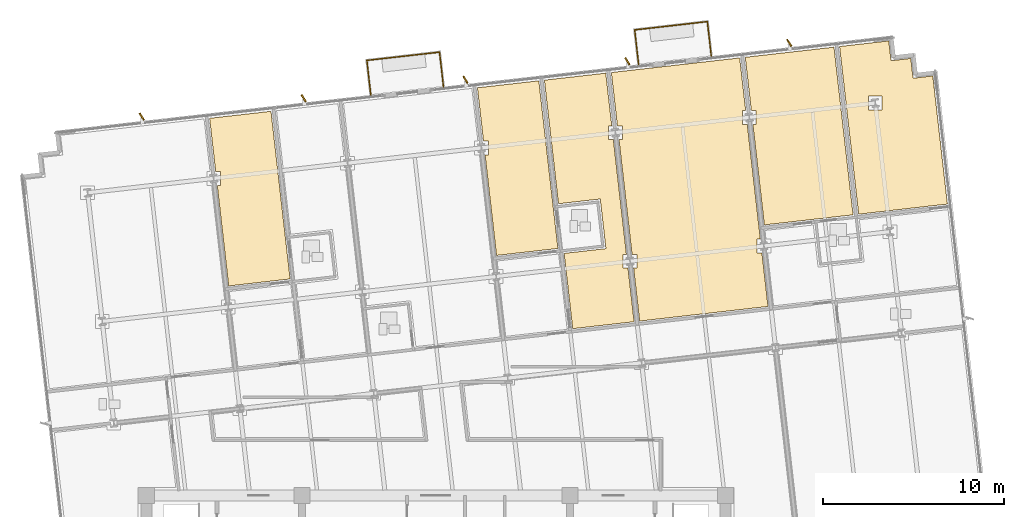
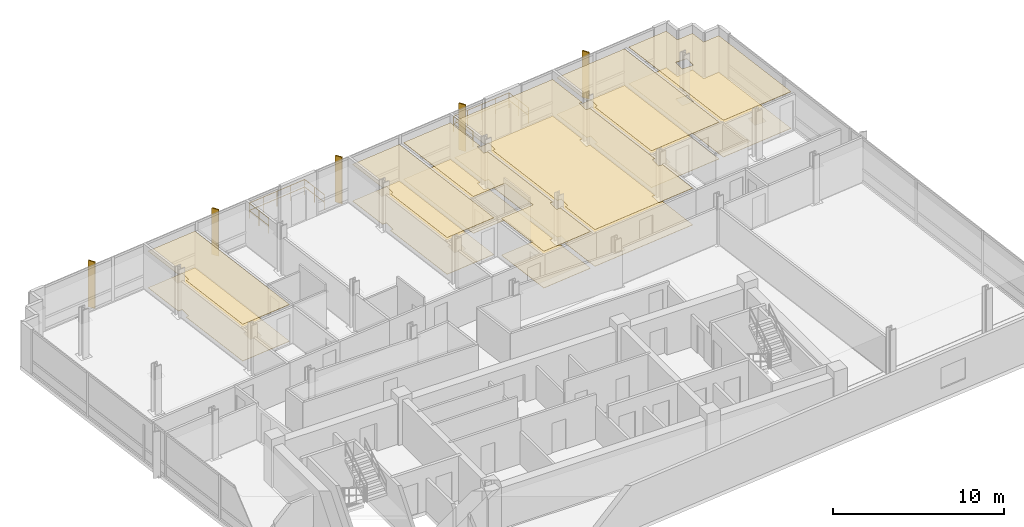
# One storey, part 15 of 16: 12 coverings, 6 railings, 5 shading devices.
"""IFC4 building model written with IfcOpenShell, lengths in metres."""

from ifc_helpers import new_model, si_unit, direction, frame, origin, origin_2d, place, context, subcontext, project, spatial, polyline, rectangle, circle, outline, extrude, material, layer, layer_set, type_object, element, save


model = new_model("IFC4")

# Units and contexts
model_context = context("Model", 3, precision=1e-05, world=origin(), true_north=direction((0.0, 1.0)))
body_context = subcontext(model_context, "Body", "Model", "MODEL_VIEW")
ifc_project = project(units=[si_unit("LENGTHUNIT", "METRE"), si_unit("AREAUNIT", "SQUARE_METRE"), si_unit("VOLUMEUNIT", "CUBIC_METRE"), si_unit("PLANEANGLEUNIT", "RADIAN"), si_unit("MASSUNIT", "GRAM", prefix="KILO")], contexts=[model_context])

# Site, building, storey
site_placement = place(None, origin())
site = spatial("IfcSite", under=ifc_project, at=site_placement, CompositionType="ELEMENT")
building_placement = place(site_placement, origin())
building = spatial("IfcBuilding", under=site, at=building_placement, Name="Solmavex Isthmus Hotel", CompositionType="ELEMENT")
storey_placement = place(building_placement, frame((0.0, 0.0, 212.39990234375)))
storey = spatial("IfcBuildingStorey", under=building, at=storey_placement, Name="L57", CompositionType="ELEMENT", Elevation=212.39990234375)

# Coverings
ifc_material_1 = material(Name="Gypsum plasterboard lining", Category="gypsum")
ifc_layer_1 = layer(ifc_material_1, 0.030029296875)
ifc_layer_set_1 = layer_set([ifc_layer_1], Name="Gypsum plasterboard lining")
covering_type_1 = type_object("IfcCoveringType", Name="COV-CEIL-GYP", PredefinedType="CEILING", material=ifc_layer_set_1)
covering_1_placement = place(storey_placement, frame((0.0, 0.0, 2.6201171875)))
element("IfcCovering", 1, at=covering_1_placement, inside=storey, type_object=covering_type_1, Name="Suspended Acoustic Ceiling L57-SL02-BD", PredefinedType="CEILING", context=body_context, shape_type="SweptSolid", body=[
    extrude(outline(polyline([(-12.17041015625, 15.3984375), (-11.903076171875, 15.3984375), (-11.903076171875, 14.638427734375), (-12.083740234375, 14.638427734375), (-11.763916015625, 11.832275390625), (-11.4501953125, 9.077392578125), (-8.05908203125, 9.4638671875), (-9.1142578125, 18.725830078125), (-12.50537109375, 18.339599609375), (-12.17041015625, 15.3984375)])), origin(), (0.0, 0.0, 1.0), 0.030029296875),
])
covering_2_placement = place(storey_placement, frame((0.0, 0.0, 2.6201171875)))
element("IfcCovering", 2, at=covering_2_placement, inside=storey, type_object=covering_type_1, Name="Suspended Acoustic Ceiling L57-SL04-BD", PredefinedType="CEILING", context=body_context, shape_type="SweptSolid", body=[
    extrude(outline(polyline([(2.6259765625, 17.084228515625), (2.893310546875, 17.084228515625), (2.893310546875, 16.32421875), (2.712646484375, 16.32421875), (3.34619140625, 10.763427734375), (6.7373046875, 11.149658203125), (5.681884765625, 20.411865234375), (2.290771484375, 20.025390625), (2.6259765625, 17.084228515625)])), origin(), (0.0, 0.0, 1.0), 0.030029296875),
])
covering_3_placement = place(storey_placement, frame((0.0, 0.0, 2.6201171875)))
element("IfcCovering", 3, at=covering_3_placement, inside=storey, type_object=covering_type_1, Name="Suspended Acoustic Ceiling L57-SV04", PredefinedType="CEILING", context=body_context, shape_type="SweptSolid", body=[
    extrude(outline(polyline([(9.798583984375, 17.167236328125), (9.531494140625, 17.167236328125), (9.531494140625, 17.92724609375), (9.712158203125, 17.92724609375), (9.381103515625, 20.833251953125), (5.989990234375, 20.44677734375), (6.767822265625, 13.619140625), (9.075927734375, 13.882080078125), (9.388427734375, 11.1396484375), (7.080322265625, 10.876708984375), (7.554443359375, 6.715576171875), (10.945556640625, 7.10205078125), (10.6083984375, 10.06103515625), (10.341064453125, 10.06103515625), (10.341064453125, 10.821044921875), (10.521728515625, 10.821044921875), (9.798583984375, 17.167236328125)])), origin(), (0.0, 0.0, 1.0), 0.030029296875),
])
covering_4_placement = place(storey_placement, frame((0.0, 0.0, 2.6201171875)))
element("IfcCovering", 4, at=covering_4_placement, inside=storey, type_object=covering_type_1, Name="Suspended Acoustic Ceiling L57-RM05", PredefinedType="CEILING", context=body_context, shape_type="SweptSolid", body=[
    extrude(outline(polyline([(10.833740234375, 10.821044921875), (11.10107421875, 10.821044921875), (11.10107421875, 10.06103515625), (10.92041015625, 10.06103515625), (11.25341796875, 7.13720703125), (18.343505859375, 7.945068359375), (18.006591796875, 10.904052734375), (17.7392578125, 10.904052734375), (17.7392578125, 11.6640625), (17.919921875, 11.6640625), (17.19677734375, 18.010009765625), (16.929443359375, 18.010009765625), (16.929443359375, 18.77001953125), (17.1103515625, 18.77001953125), (16.779052734375, 21.676025390625), (9.68896484375, 20.868408203125), (10.024169921875, 17.92724609375), (10.29150390625, 17.92724609375), (10.29150390625, 17.167236328125), (10.110595703125, 17.167236328125), (10.833740234375, 10.821044921875)])), origin(), (0.0, 0.0, 1.0), 0.030029296875),
])
covering_5_placement = place(storey_placement, frame((0.0, 0.0, 2.6201171875)))
element("IfcCovering", 5, at=covering_5_placement, inside=storey, type_object=covering_type_1, Name="Suspended Acoustic Ceiling L57-TB06", PredefinedType="CEILING", context=body_context, shape_type="SweptSolid", body=[
    extrude(outline(polyline([(17.42236328125, 18.77001953125), (17.689453125, 18.77001953125), (17.689453125, 18.010009765625), (17.5087890625, 18.010009765625), (18.142333984375, 12.44921875), (23.044677734375, 13.007568359375), (21.989501953125, 22.269775390625), (17.087158203125, 21.711181640625), (17.42236328125, 18.77001953125)])), origin(), (0.0, 0.0, 1.0), 0.030029296875),
])
covering_6_placement = place(storey_placement, frame((0.0, 0.0, 2.6201171875)))
element("IfcCovering", 6, at=covering_6_placement, inside=storey, type_object=covering_type_1, Name="Suspended Acoustic Ceiling L57-TL06", PredefinedType="CEILING", context=body_context, shape_type="SweptSolid", body=[
    extrude(outline(polyline([(25.013916015625, 22.6142578125), (24.194091796875, 22.52099609375), (22.29736328125, 22.304931640625), (23.352783203125, 13.042724609375), (28.2548828125, 13.601318359375), (27.542236328125, 19.85791015625), (27.44873046875, 20.677490234375), (26.35595703125, 20.552978515625), (26.231201171875, 21.64599609375), (25.138427734375, 21.521484375), (25.013916015625, 22.6142578125)]), holes=[polyline([(23.892578125, 19.5634765625), (24.652587890625, 19.5634765625), (24.652587890625, 18.803466796875), (23.892578125, 18.803466796875), (23.892578125, 19.5634765625)])]), origin(), (0.0, 0.0, 1.0), 0.030029296875),
])
ifc_material_2 = material(Name="Travertine natural stone", Category="masonry")
ifc_layer_2 = layer(ifc_material_2, 0.02490234375)
ifc_layer_set_2 = layer_set([ifc_layer_2], Name="Travertine natural stone")
covering_type_2 = type_object("IfcCoveringType", Name="COV-FLOR-STN", PredefinedType="FLOORING", material=ifc_layer_set_2)
covering_7_placement = place(storey_placement, origin())
element("IfcCovering", 7, at=covering_7_placement, inside=storey, type_object=covering_type_2, Name="Stone and Timber Floor Finish L57-SL02-BD", PredefinedType="FLOORING", context=body_context, shape_type="SweptSolid", body=[
    extrude(outline(polyline([(-12.17041015625, 15.3984375), (-11.903076171875, 15.3984375), (-11.903076171875, 14.638427734375), (-12.083740234375, 14.638427734375), (-11.763916015625, 11.832275390625), (-11.4501953125, 9.077392578125), (-8.05908203125, 9.4638671875), (-9.1142578125, 18.725830078125), (-12.50537109375, 18.339599609375), (-12.17041015625, 15.3984375)])), origin(), (0.0, 0.0, 1.0), 0.025146484375),
])
covering_8_placement = place(storey_placement, origin())
element("IfcCovering", 8, at=covering_8_placement, inside=storey, type_object=covering_type_2, Name="Stone and Timber Floor Finish L57-SL04-BD", PredefinedType="FLOORING", context=body_context, shape_type="SweptSolid", body=[
    extrude(outline(polyline([(2.6259765625, 17.084228515625), (2.893310546875, 17.084228515625), (2.893310546875, 16.32421875), (2.712646484375, 16.32421875), (3.34619140625, 10.763427734375), (6.7373046875, 11.149658203125), (5.681884765625, 20.411865234375), (2.290771484375, 20.025390625), (2.6259765625, 17.084228515625)])), origin(), (0.0, 0.0, 1.0), 0.025146484375),
])
covering_9_placement = place(storey_placement, origin())
element("IfcCovering", 9, at=covering_9_placement, inside=storey, type_object=covering_type_2, Name="Stone and Timber Floor Finish L57-SV04", PredefinedType="FLOORING", context=body_context, shape_type="SweptSolid", body=[
    extrude(outline(polyline([(9.798583984375, 17.167236328125), (9.531494140625, 17.167236328125), (9.531494140625, 17.92724609375), (9.712158203125, 17.92724609375), (9.381103515625, 20.833251953125), (5.989990234375, 20.44677734375), (6.767822265625, 13.619140625), (9.075927734375, 13.882080078125), (9.388427734375, 11.1396484375), (7.080322265625, 10.876708984375), (7.554443359375, 6.715576171875), (10.945556640625, 7.10205078125), (10.6083984375, 10.06103515625), (10.341064453125, 10.06103515625), (10.341064453125, 10.821044921875), (10.521728515625, 10.821044921875), (9.798583984375, 17.167236328125)])), origin(), (0.0, 0.0, 1.0), 0.025146484375),
])
covering_10_placement = place(storey_placement, origin())
element("IfcCovering", 10, at=covering_10_placement, inside=storey, type_object=covering_type_2, Name="Stone and Timber Floor Finish L57-RM05", PredefinedType="FLOORING", context=body_context, shape_type="SweptSolid", body=[
    extrude(outline(polyline([(10.833740234375, 10.821044921875), (11.10107421875, 10.821044921875), (11.10107421875, 10.06103515625), (10.92041015625, 10.06103515625), (11.25341796875, 7.13720703125), (18.343505859375, 7.945068359375), (18.006591796875, 10.904052734375), (17.7392578125, 10.904052734375), (17.7392578125, 11.6640625), (17.919921875, 11.6640625), (17.19677734375, 18.010009765625), (16.929443359375, 18.010009765625), (16.929443359375, 18.77001953125), (17.1103515625, 18.77001953125), (16.779052734375, 21.676025390625), (9.68896484375, 20.868408203125), (10.024169921875, 17.92724609375), (10.29150390625, 17.92724609375), (10.29150390625, 17.167236328125), (10.110595703125, 17.167236328125), (10.833740234375, 10.821044921875)])), origin(), (0.0, 0.0, 1.0), 0.025146484375),
])
covering_11_placement = place(storey_placement, origin())
element("IfcCovering", 11, at=covering_11_placement, inside=storey, type_object=covering_type_2, Name="Stone and Timber Floor Finish L57-TB06", PredefinedType="FLOORING", context=body_context, shape_type="SweptSolid", body=[
    extrude(outline(polyline([(17.42236328125, 18.77001953125), (17.689453125, 18.77001953125), (17.689453125, 18.010009765625), (17.5087890625, 18.010009765625), (18.142333984375, 12.44921875), (23.044677734375, 13.007568359375), (21.989501953125, 22.269775390625), (17.087158203125, 21.711181640625), (17.42236328125, 18.77001953125)])), origin(), (0.0, 0.0, 1.0), 0.025146484375),
])
covering_12_placement = place(storey_placement, origin())
element("IfcCovering", 12, at=covering_12_placement, inside=storey, type_object=covering_type_2, Name="Stone and Timber Floor Finish L57-TL06", PredefinedType="FLOORING", context=body_context, shape_type="SweptSolid", body=[
    extrude(outline(polyline([(25.013916015625, 22.6142578125), (24.194091796875, 22.52099609375), (22.29736328125, 22.304931640625), (23.352783203125, 13.042724609375), (28.2548828125, 13.601318359375), (27.542236328125, 19.85791015625), (27.44873046875, 20.677490234375), (26.35595703125, 20.552978515625), (26.231201171875, 21.64599609375), (25.138427734375, 21.521484375), (25.013916015625, 22.6142578125)]), holes=[polyline([(23.892578125, 19.5634765625), (24.652587890625, 19.5634765625), (24.652587890625, 18.803466796875), (23.892578125, 18.803466796875), (23.892578125, 19.5634765625)])]), origin(), (0.0, 0.0, 1.0), 0.025146484375),
])

# Railings
ifc_material_3 = material(Name="Clear low-E laminated glass", Category="glass")
ifc_layer_3 = layer(ifc_material_3, 0.070068359375)
ifc_layer_set_3 = layer_set([ifc_layer_3], Name="Clear low-E laminated glass")
railing_type = type_object("IfcRailingType", Name="RAIL-GUARD-1100", PredefinedType="BALUSTRADE", material=ifc_layer_set_3)
railing_1_placement = place(storey_placement, frame((-3.600341796875, 19.630859375, 0.0)))
element("IfcRailing", 13, at=railing_1_placement, inside=storey, type_object=railing_type, Name="Guardrail Balustrade L57-BAL1-01", PredefinedType="BALUSTRADE", context=body_context, shape_type="SweptSolid", body=[
    extrude(circle(Radius=0.02392578125, at=origin_2d()), frame((0.0, 0.0, 1.09619140625), z_axis=(-0.113166454875, 0.993576043135, 0.0), x_axis=(-0.993576043135, -0.113166454875, 0.0)), (0.0, 0.0, 1.0), 1.920166015625),
    extrude(circle(Radius=0.02392578125, at=origin_2d()), frame((0.0, 0.0, 0.56005859375), z_axis=(-0.113166454875, 0.993576043135, 0.0), x_axis=(-0.993576043135, -0.113166454875, 0.0)), (0.0, 0.0, 1.0), 1.920166015625),
    extrude(circle(Radius=0.02099609375, at=origin_2d()), origin(), (0.0, 0.0, 1.0), 1.072021484375),
    extrude(circle(Radius=0.02099609375, at=origin_2d()), frame((-0.108642578125, 0.953857421875, 0.0)), (0.0, 0.0, 1.0), 1.072021484375),
    extrude(circle(Radius=0.02099609375, at=origin_2d()), frame((-0.21728515625, 1.90771484375, 0.0)), (0.0, 0.0, 1.0), 1.072021484375),
])
railing_2_placement = place(storey_placement, frame((-3.817626953125, 21.53857421875, 0.0)))
element("IfcRailing", 14, at=railing_2_placement, inside=storey, type_object=railing_type, Name="Guardrail Balustrade L57-BAL1-02", PredefinedType="BALUSTRADE", context=body_context, shape_type="SweptSolid", body=[
    extrude(circle(Radius=0.02392578125, at=origin_2d()), frame((0.0, 0.0, 1.09619140625), z_axis=(0.993573319275, 0.113190367192, 0.0), x_axis=(-0.113190367192, 0.993573319275, 0.0)), (0.0, 0.0, 1.0), 4.039794921875),
    extrude(circle(Radius=0.02392578125, at=origin_2d()), frame((0.0, 0.0, 0.56005859375), z_axis=(0.993573319275, 0.113190367192, 0.0), x_axis=(-0.113190367192, 0.993573319275, 0.0)), (0.0, 0.0, 1.0), 4.039794921875),
    extrude(circle(Radius=0.02099609375, at=origin_2d()), origin(), (0.0, 0.0, 1.0), 1.072021484375),
    extrude(circle(Radius=0.02099609375, at=origin_2d()), frame((1.00341796875, 0.1142578125, 0.0)), (0.0, 0.0, 1.0), 1.072021484375),
    extrude(circle(Radius=0.02099609375, at=origin_2d()), frame((2.0068359375, 0.228515625, 0.0)), (0.0, 0.0, 1.0), 1.072021484375),
    extrude(circle(Radius=0.02099609375, at=origin_2d()), frame((3.010498046875, 0.343017578125, 0.0)), (0.0, 0.0, 1.0), 1.072021484375),
    extrude(circle(Radius=0.02099609375, at=origin_2d()), frame((4.013916015625, 0.457275390625, 0.0)), (0.0, 0.0, 1.0), 1.072021484375),
])
railing_3_placement = place(storey_placement, frame((0.1962890625, 21.995849609375, 0.0)))
element("IfcRailing", 15, at=railing_3_placement, inside=storey, type_object=railing_type, Name="Guardrail Balustrade L57-BAL1-03", PredefinedType="BALUSTRADE", context=body_context, shape_type="SweptSolid", body=[
    extrude(circle(Radius=0.02392578125, at=origin_2d()), frame((0.0, 0.0, 1.09619140625), z_axis=(0.113180753722, -0.993574414418, 0.0), x_axis=(0.993574414418, 0.113180753722, 0.0)), (0.0, 0.0, 1.0), 1.919921875),
    extrude(circle(Radius=0.02392578125, at=origin_2d()), frame((0.0, 0.0, 0.56005859375), z_axis=(0.113180753722, -0.993574414418, 0.0), x_axis=(0.993574414418, 0.113180753722, 0.0)), (0.0, 0.0, 1.0), 1.919921875),
    extrude(circle(Radius=0.02099609375, at=origin_2d()), origin(), (0.0, 0.0, 1.0), 1.072021484375),
    extrude(circle(Radius=0.02099609375, at=origin_2d()), frame((0.108642578125, -0.95361328125, 0.0)), (0.0, 0.0, 1.0), 1.072021484375),
    extrude(circle(Radius=0.02099609375, at=origin_2d()), frame((0.21728515625, -1.907470703125, 0.0)), (0.0, 0.0, 1.0), 1.072021484375),
])
railing_4_placement = place(storey_placement, frame((11.196044921875, 21.31689453125, 0.0)))
element("IfcRailing", 16, at=railing_4_placement, inside=storey, type_object=railing_type, Name="Guardrail Balustrade L57-BAL2-01", PredefinedType="BALUSTRADE", context=body_context, shape_type="SweptSolid", body=[
    extrude(circle(Radius=0.02392578125, at=origin_2d()), frame((0.0, 0.0, 1.09619140625), z_axis=(-0.113306291372, 0.993560106051, 0.0), x_axis=(-0.993560106051, -0.113306291372, 0.0)), (0.0, 0.0, 1.0), 1.919921875),
    extrude(circle(Radius=0.02392578125, at=origin_2d()), frame((0.0, 0.0, 0.56005859375), z_axis=(-0.113306291372, 0.993560106051, 0.0), x_axis=(-0.993560106051, -0.113306291372, 0.0)), (0.0, 0.0, 1.0), 1.919921875),
    extrude(circle(Radius=0.02099609375, at=origin_2d()), origin(), (0.0, 0.0, 1.0), 1.072021484375),
    extrude(circle(Radius=0.02099609375, at=origin_2d()), frame((-0.10888671875, 0.95361328125, 0.0)), (0.0, 0.0, 1.0), 1.072021484375),
    extrude(circle(Radius=0.02099609375, at=origin_2d()), frame((-0.217529296875, 1.907470703125, 0.0)), (0.0, 0.0, 1.0), 1.072021484375),
])
railing_5_placement = place(storey_placement, frame((10.978515625, 23.224365234375, 0.0)))
element("IfcRailing", 17, at=railing_5_placement, inside=storey, type_object=railing_type, Name="Guardrail Balustrade L57-BAL2-02", PredefinedType="BALUSTRADE", context=body_context, shape_type="SweptSolid", body=[
    extrude(circle(Radius=0.02392578125, at=origin_2d()), frame((0.0, 0.0, 1.09619140625), z_axis=(0.993567296105, 0.113243225453, 0.0), x_axis=(-0.113243225453, 0.993567296105, 0.0)), (0.0, 0.0, 1.0), 4.0400390625),
    extrude(circle(Radius=0.02392578125, at=origin_2d()), frame((0.0, 0.0, 0.56005859375), z_axis=(0.993567296105, 0.113243225453, 0.0), x_axis=(-0.113243225453, 0.993567296105, 0.0)), (0.0, 0.0, 1.0), 4.0400390625),
    extrude(circle(Radius=0.02099609375, at=origin_2d()), origin(), (0.0, 0.0, 1.0), 1.072021484375),
    extrude(circle(Radius=0.02099609375, at=origin_2d()), frame((1.00341796875, 0.1142578125, 0.0)), (0.0, 0.0, 1.0), 1.072021484375),
    extrude(circle(Radius=0.02099609375, at=origin_2d()), frame((2.007080078125, 0.228759765625, 0.0)), (0.0, 0.0, 1.0), 1.072021484375),
    extrude(circle(Radius=0.02099609375, at=origin_2d()), frame((3.0107421875, 0.34326171875, 0.0)), (0.0, 0.0, 1.0), 1.072021484375),
    extrude(circle(Radius=0.02099609375, at=origin_2d()), frame((4.01416015625, 0.45751953125, 0.0)), (0.0, 0.0, 1.0), 1.072021484375),
])
railing_6_placement = place(storey_placement, frame((14.99267578125, 23.681884765625, 0.0)))
element("IfcRailing", 18, at=railing_6_placement, inside=storey, type_object=railing_type, Name="Guardrail Balustrade L57-BAL2-03", PredefinedType="BALUSTRADE", context=body_context, shape_type="SweptSolid", body=[
    extrude(circle(Radius=0.02392578125, at=origin_2d()), frame((0.0, 0.0, 1.09619140625), z_axis=(0.113166454875, -0.993576043135, 0.0), x_axis=(0.993576043135, 0.113166454875, 0.0)), (0.0, 0.0, 1.0), 1.920166015625),
    extrude(circle(Radius=0.02392578125, at=origin_2d()), frame((0.0, 0.0, 0.56005859375), z_axis=(0.113166454875, -0.993576043135, 0.0), x_axis=(0.993576043135, 0.113166454875, 0.0)), (0.0, 0.0, 1.0), 1.920166015625),
    extrude(circle(Radius=0.02099609375, at=origin_2d()), origin(), (0.0, 0.0, 1.0), 1.072021484375),
    extrude(circle(Radius=0.02099609375, at=origin_2d()), frame((0.108642578125, -0.953857421875, 0.0)), (0.0, 0.0, 1.0), 1.072021484375),
    extrude(circle(Radius=0.02099609375, at=origin_2d()), frame((0.21728515625, -1.90771484375, 0.0)), (0.0, 0.0, 1.0), 1.072021484375),
])

# Shading devices
ifc_material_4 = material(Name="Aluminium alloy 6063-T6", Category="aluminium")
shading_device_type = type_object("IfcShadingDeviceType", Name="SHD-FIN-BRONZE", PredefinedType="USERDEFINED", material=ifc_material_4)
for number, where, z_axis, x_axis, name in (
    (19, (-16.2529296875, 18.430908203125, -0.139892578125), (0.0, 0.0, 1.0), (-0.537299608347, 0.843391445813, 0.0), "Anodised Aluminium Solar Fin L57-N1"),
    (20, (-7.310791015625, 19.44970703125, -0.139892578125), (0.0, 0.0, 1.0), (-0.537299608347, 0.843391445813, 0.0), "Anodised Aluminium Solar Fin L57-N2"),
    (21, (1.63134765625, 20.468505859375, -0.139892578125), (0.0, 0.0, 1.0), (-0.537299608347, 0.843391445813, 0.0), "Anodised Aluminium Solar Fin L57-N3"),
    (22, (10.57373046875, 21.4873046875, -0.139892578125), (0.0, 0.0, 1.0), (-0.537299608347, 0.843391445813, 0.0), "Anodised Aluminium Solar Fin L57-N4"),
    (23, (19.515869140625, 22.50634765625, -0.139892578125), (0.0, 0.0, 1.0), (-0.537299608347, 0.843391445813, 0.0), "Anodised Aluminium Solar Fin L57-N5"),
):
    element("IfcShadingDevice", number, at=place(storey_placement, frame(where, z_axis=z_axis, x_axis=x_axis)), inside=storey, type_object=shading_device_type, Name=name, ObjectType="SOLAR_FIN", PredefinedType="USERDEFINED", context=body_context, shape_type="SweptSolid", body=[
        extrude(rectangle(XDim=0.449951171875, YDim=0.080078125, at=origin_2d()), origin(), (0.0, 0.0, 1.0), 3.330078125),
    ])

save(model, "model.ifc")
